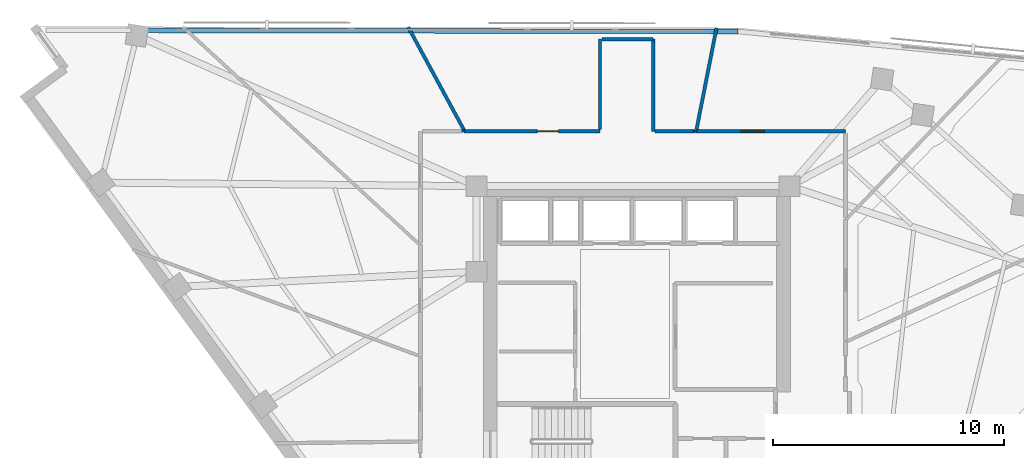
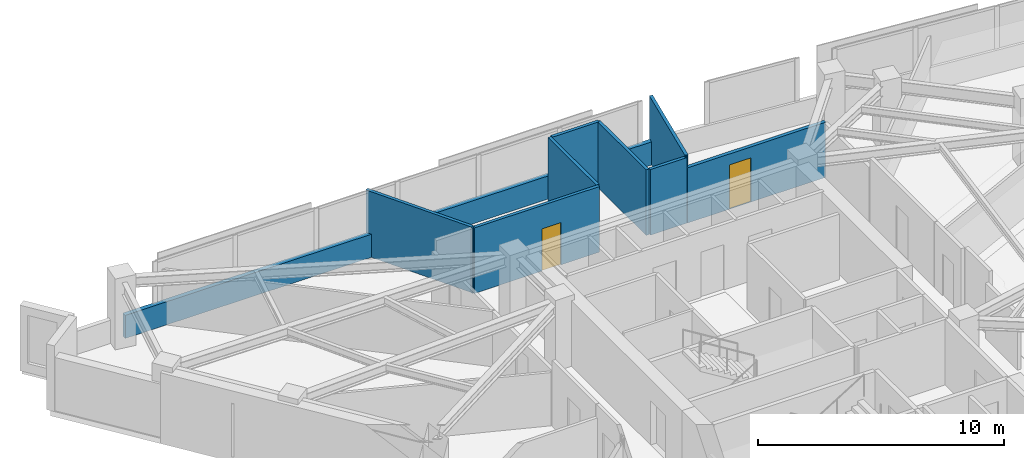
# One storey, part 10 of 13: 11 walls, 2 doors, 2 openings.
"""IFC4 building model written with IfcOpenShell, lengths in metres."""

from ifc_helpers import new_model, si_unit, direction, frame, frame_2d, origin, place, context, subcontext, project, spatial, rectangle, extrude, material, layer, layer_set, type_object, element, fill, save


model = new_model("IFC4")

# Units and contexts
model_context = context("Model", 3, precision=1e-05, world=origin(), true_north=direction((0.0, 1.0)))
body_context = subcontext(model_context, "Body", "Model", "MODEL_VIEW")
ifc_project = project(units=[si_unit("LENGTHUNIT", "METRE"), si_unit("AREAUNIT", "SQUARE_METRE"), si_unit("VOLUMEUNIT", "CUBIC_METRE"), si_unit("PLANEANGLEUNIT", "RADIAN"), si_unit("MASSUNIT", "GRAM", prefix="KILO")], contexts=[model_context])

# Site, building, storey
site_placement = place(None, origin())
site = spatial("IfcSite", under=ifc_project, at=site_placement, CompositionType="ELEMENT")
building_placement = place(site_placement, origin())
building = spatial("IfcBuilding", under=site, at=building_placement, Name="Narakoshi Arena Tower", CompositionType="ELEMENT")
storey_placement = place(building_placement, frame((0.0, 0.0, 239.6201171875)))
storey = spatial("IfcBuildingStorey", under=building, at=storey_placement, Name="L65", CompositionType="ELEMENT", Elevation=239.6201171875)

# Wall, opening, door
ifc_material_1 = material(Name="Gypsum plasterboard fire-rated partition")
ifc_layer_1 = layer(ifc_material_1, 0.1650390625)
ifc_layer_set_1 = layer_set([ifc_layer_1], Name="Gypsum plasterboard fire-rated partition")
wall_type_1 = type_object("IfcWallType", Name="WL-CORR-165", PredefinedType="PARTITIONING", material=ifc_layer_set_1)
wall_1_placement = place(storey_placement, frame((87.97216796875, 58.872314453125, 0.0), z_axis=(0.0, 0.0, 1.0), x_axis=(-1.0, 0.0, 0.0)))
wall_1 = element("IfcWall", 1, at=wall_1_placement, inside=storey, type_object=wall_type_1, Name="L65 Corridor Partition 05-1", PredefinedType="PARTITIONING", context=body_context, shape_type="SweptSolid", body=[
    extrude(rectangle(XDim=6.495849609375, YDim=0.1650390625, at=frame_2d((3.248046875, 0.0))), origin(), (0.0, 0.0, 1.0), 2.744873046875),
])
opening_1_placement = place(wall_1_placement, frame((3.51220703125, 0.0, 0.0)))
opening_1 = element("IfcOpeningElement", 2, at=opening_1_placement, cuts=wall_1, Name="Opening D-06", PredefinedType="OPENING", context=body_context, shape_type="SweptSolid", body=[
    extrude(rectangle(XDim=1.0, YDim=2.199951171875, at=frame_2d((0.5, 1.10009765625))), frame((0.0, 0.092529296875, 0.0), z_axis=(0.0, -1.0, 0.0), x_axis=(1.0, 0.0, 0.0)), (0.0, 0.0, 1.0), 0.18505859375),
])
ifc_material_2 = material(Name="Stained oak solid-core timber", Category="wood")
door_type_1 = type_object("IfcDoorType", Name="DR-OFF-1000", OperationType="NOTDEFINED", PredefinedType="DOOR", material=ifc_material_2)
door_1_placement = place(opening_1_placement, frame((1.0, 0.0, 0.0), z_axis=(0.0, 0.0, 1.0), x_axis=(-1.0, 0.0, 0.0)))
door_1 = element("IfcDoor", 3, at=door_1_placement, inside=storey, type_object=door_type_1, Name="DR-L65-020", OperationType="SINGLE_SWING_LEFT", OverallHeight=2.199951171875, OverallWidth=1.0, PredefinedType="DOOR", context=body_context, shape_type="SweptSolid", body=[
    extrude(rectangle(XDim=1.0, YDim=2.199951171875, at=frame_2d((0.5, 1.10009765625))), frame((0.0, 0.02490234375, 0.0), z_axis=(0.0, -1.0, 0.0), x_axis=(1.0, 0.0, 0.0)), (0.0, 0.0, 1.0), 0.050048828125),
])
fill(opening_1, door_1)

# Walls
ifc_material_3 = material(Name="Precast concrete C45/55", Category="concrete")
ifc_layer_2 = layer(ifc_material_3, 0.25)
ifc_layer_set_2 = layer_set([ifc_layer_2], Name="Precast concrete C45/55")
wall_type_2 = type_object("IfcWallType", Name="WL-PARA-250", PredefinedType="PARAPET", material=ifc_layer_set_2)
wall_2_placement = place(storey_placement, frame((83.332275390625, 63.193359375, 0.0), z_axis=(0.0, 0.0, 1.0), x_axis=(-0.999998363757, 0.001809000383, 0.0)))
element("IfcWall", 4, at=wall_2_placement, inside=storey, type_object=wall_type_2, Name="L65 Hypotenuse Sill Upstand Parapet 2-01", PredefinedType="PARAPET", context=body_context, shape_type="SweptSolid", body=[
    extrude(rectangle(XDim=25.777099609375, YDim=0.199951171875, at=frame_2d((12.888671875, 0.0))), origin(), (0.0, 0.0, 1.0), 1.14990234375),
])
ifc_material_4 = material(Name="Moisture-resistant cement-board partition")
ifc_layer_3 = layer(ifc_material_4, 0.14501953125)
ifc_layer_set_3 = layer_set([ifc_layer_3], Name="Moisture-resistant cement-board partition")
wall_type_3 = type_object("IfcWallType", Name="WL-WET-145", PredefinedType="PARTITIONING", material=ifc_layer_set_3)
wall_3_placement = place(storey_placement, frame((81.53173828125, 58.966796875, 0.0), z_axis=(0.0, 0.0, 1.0), x_axis=(0.193186412062, 0.981162071319, 0.0)))
element("IfcWall", 5, at=wall_3_placement, inside=storey, type_object=wall_type_3, Name="L65 Inter-Room Partition 05-06", PredefinedType="PARTITIONING", context=body_context, shape_type="SweptSolid", body=[
    extrude(rectangle(XDim=4.472412109375, YDim=0.14501953125, at=frame_2d((2.236328125, 0.0))), origin(), (0.0, 0.0, 1.0), 3.259765625),
])

# Wall, opening, door
wall_4_placement = place(storey_placement, frame((77.35009765625, 58.872314453125, 0.0), z_axis=(0.0, 0.0, 1.0), x_axis=(-1.0, 0.0, 0.0)))
wall_4 = element("IfcWall", 6, at=wall_4_placement, inside=storey, type_object=wall_type_3, Name="L65 Corridor Partition 06-1", PredefinedType="PARTITIONING", context=body_context, shape_type="SweptSolid", body=[
    extrude(rectangle(XDim=5.886474609375, YDim=0.14501953125, at=frame_2d((2.943359375, 0.0))), origin(), (0.0, 0.0, 1.0), 3.259765625),
])
opening_2_placement = place(wall_4_placement, frame((1.80517578125, 0.0, 0.0)))
opening_2 = element("IfcOpeningElement", 7, at=opening_2_placement, cuts=wall_4, Name="Opening D-08", PredefinedType="OPENING", context=body_context, shape_type="SweptSolid", body=[
    extrude(rectangle(XDim=0.89990234375, YDim=2.10009765625, at=frame_2d((0.449951171875, 1.050048828125))), frame((0.0, 0.08251953125, 0.0), z_axis=(0.0, -1.0, 0.0), x_axis=(1.0, 0.0, 0.0)), (0.0, 0.0, 1.0), 0.1650390625),
])
ifc_material_5 = material(Name="Moisture-resistant laminate timber", Category="wood")
door_type_2 = type_object("IfcDoorType", Name="DR-WC-900", OperationType="NOTDEFINED", PredefinedType="DOOR", material=ifc_material_5)
door_2_placement = place(opening_2_placement, frame((0.89990234375, 0.0, 0.0), z_axis=(0.0, 0.0, 1.0), x_axis=(-1.0, 0.0, 0.0)))
door_2 = element("IfcDoor", 8, at=door_2_placement, inside=storey, type_object=door_type_2, Name="DR-L65-021", OperationType="SINGLE_SWING_LEFT", OverallHeight=2.10009765625, OverallWidth=0.89990234375, PredefinedType="DOOR", context=body_context, shape_type="SweptSolid", body=[
    extrude(rectangle(XDim=0.89990234375, YDim=2.10009765625, at=frame_2d((0.449951171875, 1.050048828125))), frame((0.0, 0.02490234375, 0.0), z_axis=(0.0, -1.0, 0.0), x_axis=(1.0, 0.0, 0.0)), (0.0, 0.0, 1.0), 0.050048828125),
])
fill(opening_2, door_2)

# Walls
wall_5_placement = place(storey_placement, frame((77.35009765625, 62.8642578125, 0.0), z_axis=(0.0, 0.0, 1.0), x_axis=(0.0, -1.0, 0.0)))
element("IfcWall", 9, at=wall_5_placement, inside=storey, type_object=wall_type_3, Name="L65 Corridor Partition 06-2", PredefinedType="PARTITIONING", context=body_context, shape_type="SweptSolid", body=[
    extrude(rectangle(XDim=3.907470703125, YDim=0.14501953125, at=frame_2d((1.95361328125, 0.0))), origin(), (0.0, 0.0, 1.0), 3.259765625),
])
wall_6_placement = place(storey_placement, frame((79.64990234375, 58.872314453125, 0.0), z_axis=(0.0, 0.0, 1.0), x_axis=(0.0, 1.0, 0.0)))
element("IfcWall", 10, at=wall_6_placement, inside=storey, type_object=wall_type_3, Name="L65 Corridor Partition 06-3", PredefinedType="PARTITIONING", context=body_context, shape_type="SweptSolid", body=[
    extrude(rectangle(XDim=3.98779296875, YDim=0.14501953125, at=frame_2d((1.993896484375, 0.0))), origin(), (0.0, 0.0, 1.0), 3.259765625),
])
wall_7_placement = place(storey_placement, frame((79.64990234375, 62.860107421875, 0.0), z_axis=(0.0, 0.0, 1.0), x_axis=(-0.999998445426, 0.001763276959, 0.0)))
element("IfcWall", 11, at=wall_7_placement, inside=storey, type_object=wall_type_3, Name="L65 Corridor Partition 06-4", PredefinedType="PARTITIONING", context=body_context, shape_type="SweptSolid", body=[
    extrude(rectangle(XDim=2.21533203125, YDim=0.14501953125, at=frame_2d((1.107666015625, 0.0))), origin(), (0.0, 0.0, 1.0), 3.259765625),
])
wall_8_placement = place(storey_placement, frame((81.451904296875, 58.872314453125, 0.0), z_axis=(0.0, 0.0, 1.0), x_axis=(-1.0, 0.0, 0.0)))
element("IfcWall", 12, at=wall_8_placement, inside=storey, type_object=wall_type_3, Name="L65 Corridor Partition 06-5", PredefinedType="PARTITIONING", context=body_context, shape_type="SweptSolid", body=[
    extrude(rectangle(XDim=1.71728515625, YDim=0.14501953125, at=frame_2d((0.858642578125, 0.0))), origin(), (0.0, 0.0, 1.0), 3.259765625),
])
wall_9_placement = place(storey_placement, frame((71.463623046875, 58.872314453125, 0.0), z_axis=(0.0, 0.0, 1.0), x_axis=(-0.485339901234, 0.87432555737, 0.0)))
element("IfcWall", 13, at=wall_9_placement, inside=storey, type_object=wall_type_3, Name="L65 Corridor Partition 06-6", PredefinedType="PARTITIONING", context=body_context, shape_type="SweptSolid", body=[
    extrude(rectangle(XDim=0.068359375, YDim=0.14501953125, at=frame_2d((0.0341796875, 0.0))), origin(), (0.0, 0.0, 1.0), 3.259765625),
])
wall_10_placement = place(storey_placement, frame((81.4638671875, 58.93212890625, 0.0), z_axis=(0.0, 0.0, 1.0), x_axis=(-0.196116135138, -0.980580675691, 0.0)))
element("IfcWall", 14, at=wall_10_placement, inside=storey, type_object=wall_type_3, Name="L65 Corridor Partition 06-7", PredefinedType="PARTITIONING", context=body_context, shape_type="SweptSolid", body=[
    extrude(rectangle(XDim=0.06103515625, YDim=0.14501953125, at=frame_2d((0.030517578125, 0.0))), origin(), (0.0, 0.0, 1.0), 3.259765625),
])
wall_11_placement = place(storey_placement, frame((71.4560546875, 58.9462890625, 0.0), z_axis=(0.0, 0.0, 1.0), x_axis=(-0.476543617449, 0.879150829305, 0.0)))
element("IfcWall", 15, at=wall_11_placement, inside=storey, type_object=wall_type_3, Name="L65 Inter-Room Partition 06-08", PredefinedType="PARTITIONING", context=body_context, shape_type="SweptSolid", body=[
    extrude(rectangle(XDim=5.042236328125, YDim=0.14501953125, at=frame_2d((2.52099609375, 0.0))), origin(), (0.0, 0.0, 1.0), 3.259765625),
])

save(model, "model.ifc")
